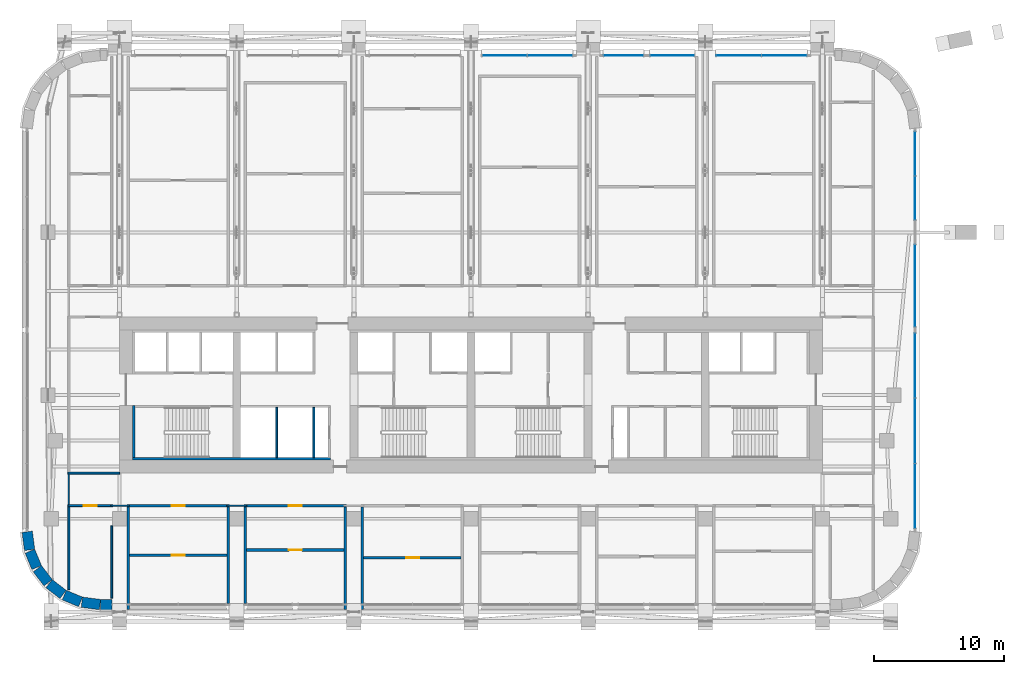
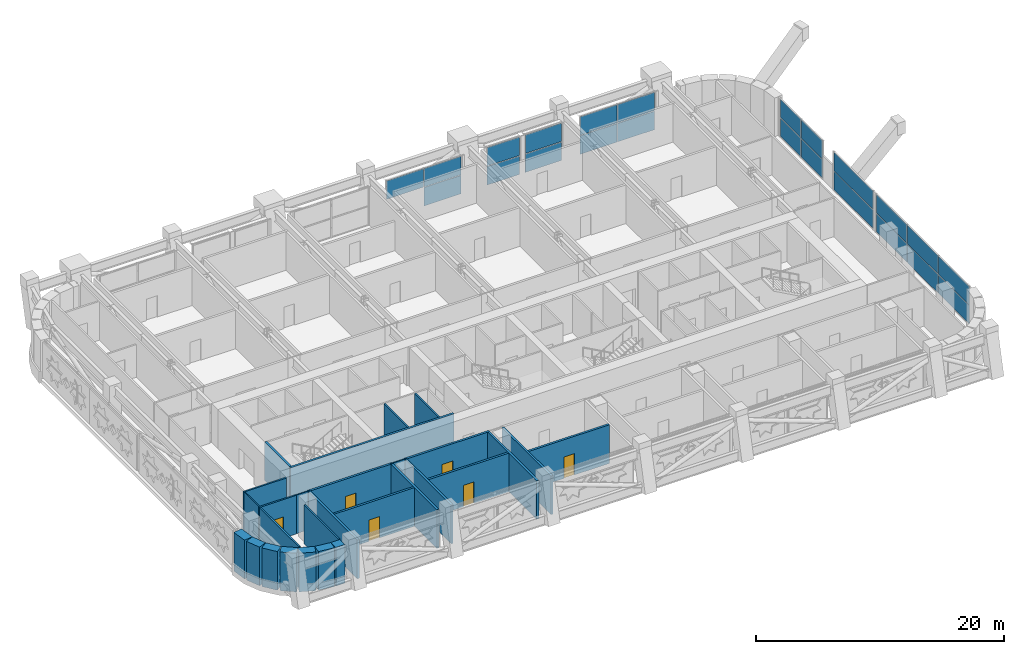
# One storey, part 12 of 27: 28 walls, 23 plates, 6 doors, 6 openings, 7 elements without a shape of their own.
"""IFC4 building model written with IfcOpenShell, lengths in metres."""

from ifc_helpers import new_model, si_unit, direction, frame, frame_2d, origin, origin_2d, place, context, subcontext, project, spatial, rectangle, extrude, material, layer, layer_set, type_object, element, fill, aggregate, save


model = new_model("IFC4")

# Units and contexts
model_context = context("Model", 3, precision=1e-05, world=origin(), true_north=direction((0.0, 1.0)))
body_context = subcontext(model_context, "Body", "Model", "MODEL_VIEW")
ifc_project = project(units=[si_unit("LENGTHUNIT", "METRE"), si_unit("AREAUNIT", "SQUARE_METRE"), si_unit("VOLUMEUNIT", "CUBIC_METRE"), si_unit("PLANEANGLEUNIT", "RADIAN"), si_unit("MASSUNIT", "GRAM", prefix="KILO")], contexts=[model_context])

# Site, building, storey
site_placement = place(None, origin())
site = spatial("IfcSite", under=ifc_project, at=site_placement, CompositionType="ELEMENT")
building_placement = place(site_placement, origin())
building = spatial("IfcBuilding", under=site, at=building_placement, Name="Zellij Exchange Tower", CompositionType="ELEMENT")
storey_placement = place(building_placement, frame((0.0, 0.0, 104.5)))
storey = spatial("IfcBuildingStorey", under=building, at=storey_placement, Name="L22", CompositionType="ELEMENT", Elevation=104.5)

# Curtain wall, plates
ifc_material_1 = material(Name="Aluminium frame, clear insulating glass", Category="aluminium")
curtain_wall_type = type_object("IfcCurtainWallType", Name="ENV-CW2 Outrigger-storey glazing", PredefinedType="NOTDEFINED", material=ifc_material_1)
curtain_wall_1_placement = place(storey_placement, origin())
curtain_wall_1 = element("IfcCurtainWall", 1, at=curtain_wall_1_placement, inside=storey, type_object=curtain_wall_type, Name="cw.L22.14b", PredefinedType="NOTDEFINED")
ifc_material_2 = material(Name="Aluminium louvre", Category="aluminium")
ifc_layer_1 = layer(ifc_material_2, 0.031982421875)
ifc_layer_set_1 = layer_set([ifc_layer_1], Name="Aluminium louvre")
plate_type_1 = type_object("IfcPlateType", Name="ENV-CW2L Louvred panel 32", PredefinedType="CURTAIN_PANEL", material=ifc_layer_set_1)
plate_1_placement = place(storey_placement, frame((24.072509765625, 18.10009765625, 1.929931640625), z_axis=(0.0, 0.0, 1.0), x_axis=(-1.0, 0.0, 0.0)))
plate_1 = element("IfcPlate", 2, at=plate_1_placement, type_object=plate_type_1, Name="CW2 panel 1.2", PredefinedType="CURTAIN_PANEL", context=body_context, shape_type="SweptSolid", body=[
    extrude(rectangle(XDim=3.43505859375, YDim=0.031982421875, at=origin_2d()), origin(), (0.0, 0.0, 1.0), 1.81005859375),
])
plate_2_placement = place(storey_placement, frame((20.577392578125, 18.10009765625, 0.06005859375), z_axis=(0.0, 0.0, 1.0), x_axis=(-1.0, 0.0, 0.0)))
plate_2 = element("IfcPlate", 3, at=plate_2_placement, type_object=plate_type_1, Name="CW2 panel 2.1", PredefinedType="CURTAIN_PANEL", context=body_context, shape_type="SweptSolid", body=[
    extrude(rectangle(XDim=3.43505859375, YDim=0.031982421875, at=origin_2d()), origin(), (0.0, 0.0, 1.0), 1.81005859375),
])

# Curtain wall, plate
curtain_wall_2_placement = place(storey_placement, origin())
curtain_wall_2 = element("IfcCurtainWall", 4, at=curtain_wall_2_placement, inside=storey, type_object=curtain_wall_type, Name="cw.L22.14c", PredefinedType="NOTDEFINED")
plate_3_placement = place(storey_placement, frame((15.449951171875, 18.10009765625, 0.06005859375), z_axis=(0.0, 0.0, 1.0), x_axis=(-1.0, 0.0, 0.0)))
plate_3 = element("IfcPlate", 5, at=plate_3_placement, type_object=plate_type_1, Name="CW2 panel 1.1", PredefinedType="CURTAIN_PANEL", context=body_context, shape_type="SweptSolid", body=[
    extrude(rectangle(XDim=3.3798828125, YDim=0.031982421875, at=origin_2d()), origin(), (0.0, 0.0, 1.0), 1.81005859375),
])

curtain_wall_3_placement = place(storey_placement, origin())
curtain_wall_3 = element("IfcCurtainWall", 6, at=curtain_wall_3_placement, inside=storey, type_object=curtain_wall_type, Name="cw.L22.14d", PredefinedType="NOTDEFINED")
plate_4_placement = place(storey_placement, frame((11.72509765625, 18.10009765625, 1.929931640625), z_axis=(0.0, 0.0, 1.0), x_axis=(-1.0, 0.0, 0.0)))
plate_4 = element("IfcPlate", 7, at=plate_4_placement, type_object=plate_type_1, Name="CW2 panel 1.2", PredefinedType="CURTAIN_PANEL", context=body_context, shape_type="SweptSolid", body=[
    extrude(rectangle(XDim=3.030029296875, YDim=0.031982421875, at=origin_2d()), origin(), (0.0, 0.0, 1.0), 1.81005859375),
])

curtain_wall_4_placement = place(storey_placement, origin())
curtain_wall_4 = element("IfcCurtainWall", 8, at=curtain_wall_4_placement, inside=storey, type_object=curtain_wall_type, Name="cw.L22.14e", PredefinedType="NOTDEFINED")
plate_5_placement = place(storey_placement, frame((6.072509765625, 18.10009765625, 1.929931640625), z_axis=(0.0, 0.0, 1.0), x_axis=(-1.0, 0.0, 0.0)))
plate_5 = element("IfcPlate", 9, at=plate_5_placement, type_object=plate_type_1, Name="CW2 panel 1.2", PredefinedType="CURTAIN_PANEL", context=body_context, shape_type="SweptSolid", body=[
    extrude(rectangle(XDim=3.43505859375, YDim=0.031982421875, at=origin_2d()), origin(), (0.0, 0.0, 1.0), 1.81005859375),
])

# Curtain wall, plates
curtain_wall_5_placement = place(storey_placement, origin())
curtain_wall_5 = element("IfcCurtainWall", 10, at=curtain_wall_5_placement, inside=storey, type_object=curtain_wall_type, Name="cw.L22.07a", PredefinedType="NOTDEFINED")
ifc_material_3 = material(Name="Insulating glass unit, clear", Category="glass")
ifc_layer_2 = layer(ifc_material_3, 0.031982421875)
ifc_layer_set_2 = layer_set([ifc_layer_2], Name="Insulating glass unit, clear")
plate_type_2 = type_object("IfcPlateType", Name="ENV-CW2P Glazed panel 32", PredefinedType="CURTAIN_PANEL", material=ifc_layer_set_2)
plate_6_placement = place(storey_placement, frame((34.10009765625, -15.74658203125, 0.06005859375), z_axis=(0.0, 0.0, 1.0), x_axis=(0.0, 1.0, 0.0)))
plate_6 = element("IfcPlate", 11, at=plate_6_placement, type_object=plate_type_2, Name="CW2 panel 1.1", PredefinedType="CURTAIN_PANEL", context=body_context, shape_type="SweptSolid", body=[
    extrude(rectangle(XDim=4.9345703125, YDim=0.031982421875, at=origin_2d()), origin(), (0.0, 0.0, 1.0), 1.81005859375),
])
plate_7_placement = place(storey_placement, frame((34.10009765625, -15.74658203125, 1.929931640625), z_axis=(0.0, 0.0, 1.0), x_axis=(0.0, 1.0, 0.0)))
plate_7 = element("IfcPlate", 12, at=plate_7_placement, type_object=plate_type_2, Name="CW2 panel 1.2", PredefinedType="CURTAIN_PANEL", context=body_context, shape_type="SweptSolid", body=[
    extrude(rectangle(XDim=4.9345703125, YDim=0.031982421875, at=origin_2d()), origin(), (0.0, 0.0, 1.0), 1.81005859375),
])
plate_8_placement = place(storey_placement, frame((34.10009765625, -10.73681640625, 0.06005859375), z_axis=(0.0, 0.0, 1.0), x_axis=(0.0, 1.0, 0.0)))
plate_8 = element("IfcPlate", 13, at=plate_8_placement, type_object=plate_type_2, Name="CW2 panel 2.1", PredefinedType="CURTAIN_PANEL", context=body_context, shape_type="SweptSolid", body=[
    extrude(rectangle(XDim=4.964599609375, YDim=0.031982421875, at=origin_2d()), origin(), (0.0, 0.0, 1.0), 1.81005859375),
])
plate_9_placement = place(storey_placement, frame((34.10009765625, -10.73681640625, 1.929931640625), z_axis=(0.0, 0.0, 1.0), x_axis=(0.0, 1.0, 0.0)))
plate_9 = element("IfcPlate", 14, at=plate_9_placement, type_object=plate_type_2, Name="CW2 panel 2.2", PredefinedType="CURTAIN_PANEL", context=body_context, shape_type="SweptSolid", body=[
    extrude(rectangle(XDim=4.964599609375, YDim=0.031982421875, at=origin_2d()), origin(), (0.0, 0.0, 1.0), 1.81005859375),
])
plate_10_placement = place(storey_placement, frame((34.10009765625, -5.727294921875, 0.06005859375), z_axis=(0.0, 0.0, 1.0), x_axis=(0.0, 1.0, 0.0)))
plate_10 = element("IfcPlate", 15, at=plate_10_placement, type_object=plate_type_2, Name="CW2 panel 3.1", PredefinedType="CURTAIN_PANEL", context=body_context, shape_type="SweptSolid", body=[
    extrude(rectangle(XDim=4.9345703125, YDim=0.031982421875, at=origin_2d()), origin(), (0.0, 0.0, 1.0), 1.81005859375),
])
plate_11_placement = place(storey_placement, frame((34.10009765625, -5.727294921875, 1.929931640625), z_axis=(0.0, 0.0, 1.0), x_axis=(0.0, 1.0, 0.0)))
plate_11 = element("IfcPlate", 16, at=plate_11_placement, type_object=plate_type_2, Name="CW2 panel 3.2", PredefinedType="CURTAIN_PANEL", context=body_context, shape_type="SweptSolid", body=[
    extrude(rectangle(XDim=4.9345703125, YDim=0.031982421875, at=origin_2d()), origin(), (0.0, 0.0, 1.0), 1.81005859375),
])
aggregate(curtain_wall_5, [plate_6, plate_7, plate_8, plate_9, plate_10, plate_11])

curtain_wall_6_placement = place(storey_placement, origin())
curtain_wall_6 = element("IfcCurtainWall", 17, at=curtain_wall_6_placement, inside=storey, type_object=curtain_wall_type, Name="cw.L22.07b.a", PredefinedType="NOTDEFINED")
plate_12_placement = place(storey_placement, frame((34.10009765625, 0.39990234375, 0.06005859375), z_axis=(0.0, 0.0, 1.0), x_axis=(0.0, 1.0, 0.0)))
plate_12 = element("IfcPlate", 18, at=plate_12_placement, type_object=plate_type_2, Name="CW2 panel 1.1", PredefinedType="CURTAIN_PANEL", context=body_context, shape_type="SweptSolid", body=[
    extrude(rectangle(XDim=6.280029296875, YDim=0.031982421875, at=origin_2d()), origin(), (0.0, 0.0, 1.0), 1.81005859375),
])
plate_13_placement = place(storey_placement, frame((34.10009765625, 0.39990234375, 1.929931640625), z_axis=(0.0, 0.0, 1.0), x_axis=(0.0, 1.0, 0.0)))
plate_13 = element("IfcPlate", 19, at=plate_13_placement, type_object=plate_type_2, Name="CW2 panel 1.2", PredefinedType="CURTAIN_PANEL", context=body_context, shape_type="SweptSolid", body=[
    extrude(rectangle(XDim=6.280029296875, YDim=0.031982421875, at=origin_2d()), origin(), (0.0, 0.0, 1.0), 1.81005859375),
])
aggregate(curtain_wall_6, [plate_12, plate_13])

curtain_wall_7_placement = place(storey_placement, origin())
curtain_wall_7 = element("IfcCurtainWall", 20, at=curtain_wall_7_placement, inside=storey, type_object=curtain_wall_type, Name="cw.L22.07b.b", PredefinedType="NOTDEFINED")
plate_14_placement = place(storey_placement, frame((34.10009765625, 7.133544921875, 0.06005859375), z_axis=(0.0, 0.0, 1.0), x_axis=(0.0, 1.0, 0.0)))
plate_14 = element("IfcPlate", 21, at=plate_14_placement, type_object=plate_type_2, Name="CW2 panel 1.1", PredefinedType="CURTAIN_PANEL", context=body_context, shape_type="SweptSolid", body=[
    extrude(rectangle(XDim=3.346923828125, YDim=0.031982421875, at=origin_2d()), origin(), (0.0, 0.0, 1.0), 1.81005859375),
])
plate_15_placement = place(storey_placement, frame((34.10009765625, 7.133544921875, 1.929931640625), z_axis=(0.0, 0.0, 1.0), x_axis=(0.0, 1.0, 0.0)))
plate_15 = element("IfcPlate", 22, at=plate_15_placement, type_object=plate_type_2, Name="CW2 panel 1.2", PredefinedType="CURTAIN_PANEL", context=body_context, shape_type="SweptSolid", body=[
    extrude(rectangle(XDim=3.346923828125, YDim=0.031982421875, at=origin_2d()), origin(), (0.0, 0.0, 1.0), 1.81005859375),
])
plate_16_placement = place(storey_placement, frame((34.10009765625, 10.540283203125, 0.06005859375), z_axis=(0.0, 0.0, 1.0), x_axis=(0.0, 1.0, 0.0)))
plate_16 = element("IfcPlate", 23, at=plate_16_placement, type_object=plate_type_2, Name="CW2 panel 2.1", PredefinedType="CURTAIN_PANEL", context=body_context, shape_type="SweptSolid", body=[
    extrude(rectangle(XDim=3.346923828125, YDim=0.031982421875, at=origin_2d()), origin(), (0.0, 0.0, 1.0), 1.81005859375),
])
plate_17_placement = place(storey_placement, frame((34.10009765625, 10.540283203125, 1.929931640625), z_axis=(0.0, 0.0, 1.0), x_axis=(0.0, 1.0, 0.0)))
plate_17 = element("IfcPlate", 24, at=plate_17_placement, type_object=plate_type_2, Name="CW2 panel 2.2", PredefinedType="CURTAIN_PANEL", context=body_context, shape_type="SweptSolid", body=[
    extrude(rectangle(XDim=3.346923828125, YDim=0.031982421875, at=origin_2d()), origin(), (0.0, 0.0, 1.0), 1.81005859375),
])
aggregate(curtain_wall_7, [plate_14, plate_15, plate_16, plate_17])

# Plate
plate_18_placement = place(storey_placement, frame((24.072509765625, 18.10009765625, 0.06005859375), z_axis=(0.0, 0.0, 1.0), x_axis=(-1.0, 0.0, 0.0)))
plate_18 = element("IfcPlate", 25, at=plate_18_placement, type_object=plate_type_2, Name="CW2 panel 1.1", PredefinedType="CURTAIN_PANEL", context=body_context, shape_type="SweptSolid", body=[
    extrude(rectangle(XDim=3.43505859375, YDim=0.031982421875, at=origin_2d()), origin(), (0.0, 0.0, 1.0), 1.81005859375),
])

plate_19_placement = place(storey_placement, frame((20.577392578125, 18.10009765625, 1.929931640625), z_axis=(0.0, 0.0, 1.0), x_axis=(-1.0, 0.0, 0.0)))
plate_19 = element("IfcPlate", 26, at=plate_19_placement, type_object=plate_type_2, Name="CW2 panel 2.2", PredefinedType="CURTAIN_PANEL", context=body_context, shape_type="SweptSolid", body=[
    extrude(rectangle(XDim=3.43505859375, YDim=0.031982421875, at=origin_2d()), origin(), (0.0, 0.0, 1.0), 1.81005859375),
])

aggregate(curtain_wall_1, [plate_18, plate_1, plate_2, plate_19])

plate_20_placement = place(storey_placement, frame((15.449951171875, 18.10009765625, 1.929931640625), z_axis=(0.0, 0.0, 1.0), x_axis=(-1.0, 0.0, 0.0)))
plate_20 = element("IfcPlate", 27, at=plate_20_placement, type_object=plate_type_2, Name="CW2 panel 1.2", PredefinedType="CURTAIN_PANEL", context=body_context, shape_type="SweptSolid", body=[
    extrude(rectangle(XDim=3.3798828125, YDim=0.031982421875, at=origin_2d()), origin(), (0.0, 0.0, 1.0), 1.81005859375),
])

aggregate(curtain_wall_2, [plate_3, plate_20])

plate_21_placement = place(storey_placement, frame((11.72509765625, 18.10009765625, 0.06005859375), z_axis=(0.0, 0.0, 1.0), x_axis=(-1.0, 0.0, 0.0)))
plate_21 = element("IfcPlate", 28, at=plate_21_placement, type_object=plate_type_2, Name="CW2 panel 1.1", PredefinedType="CURTAIN_PANEL", context=body_context, shape_type="SweptSolid", body=[
    extrude(rectangle(XDim=3.030029296875, YDim=0.031982421875, at=origin_2d()), origin(), (0.0, 0.0, 1.0), 1.81005859375),
])

aggregate(curtain_wall_3, [plate_21, plate_4])

plate_22_placement = place(storey_placement, frame((6.072509765625, 18.10009765625, 0.06005859375), z_axis=(0.0, 0.0, 1.0), x_axis=(-1.0, 0.0, 0.0)))
plate_22 = element("IfcPlate", 29, at=plate_22_placement, type_object=plate_type_2, Name="CW2 panel 1.1", PredefinedType="CURTAIN_PANEL", context=body_context, shape_type="SweptSolid", body=[
    extrude(rectangle(XDim=3.43505859375, YDim=0.031982421875, at=origin_2d()), origin(), (0.0, 0.0, 1.0), 1.81005859375),
])

plate_23_placement = place(storey_placement, frame((2.577392578125, 18.10009765625, 1.929931640625), z_axis=(0.0, 0.0, 1.0), x_axis=(-1.0, 0.0, 0.0)))
plate_23 = element("IfcPlate", 30, at=plate_23_placement, type_object=plate_type_2, Name="CW2 panel 2.2", PredefinedType="CURTAIN_PANEL", context=body_context, shape_type="SweptSolid", body=[
    extrude(rectangle(XDim=3.43505859375, YDim=0.031982421875, at=origin_2d()), origin(), (0.0, 0.0, 1.0), 1.81005859375),
])

aggregate(curtain_wall_4, [plate_22, plate_5, plate_23])

# Walls
ifc_material_4 = material(Name="Concrete C30/37", Category="concrete")
ifc_layer_3 = layer(ifc_material_4, 0.199951171875)
ifc_layer_set_3 = layer_set([ifc_layer_3], Name="Concrete C30/37")
wall_type_1 = type_object("IfcWallType", Name="CORE-LW 200 C30/37", PredefinedType="SHEAR", material=ifc_layer_set_3)
wall_1_placement = place(storey_placement, frame((-26.0, -12.89990234375, 0.0), z_axis=(0.0, 0.0, 1.0), x_axis=(1.0, 0.0, 0.0)))
element("IfcWall", 31, at=wall_1_placement, inside=storey, type_object=wall_type_1, Name="Core wall lining rear.0 L22", PredefinedType="SHEAR", context=body_context, shape_type="SweptSolid", body=[
    extrude(rectangle(XDim=15.199951171875, YDim=0.199951171875, at=frame_2d((7.60009765625, 0.0))), origin(), (0.0, 0.0, 1.0), 3.800048828125),
])
wall_2_placement = place(storey_placement, frame((-25.89990234375, -12.800048828125, 0.0), z_axis=(0.0, 0.0, 1.0), x_axis=(0.0, 1.0, 0.0)))
element("IfcWall", 32, at=wall_2_placement, inside=storey, type_object=wall_type_1, Name="Core wall lining end w.0 L22", PredefinedType="SHEAR", context=body_context, shape_type="SweptSolid", body=[
    extrude(rectangle(XDim=4.0, YDim=0.199951171875, at=frame_2d((2.0, 0.0))), origin(), (0.0, 0.0, 1.0), 3.800048828125),
])
ifc_material_5 = material(Name="Gypsum shaft wall system")
ifc_layer_4 = layer(ifc_material_5, 0.14990234375)
ifc_layer_set_4 = layer_set([ifc_layer_4], Name="Gypsum shaft wall system")
wall_type_2 = type_object("IfcWallType", Name="CORE-PW 150 Lift shaft wall", PredefinedType="PARTITIONING", material=ifc_layer_set_4)
for number, where, z_axis, x_axis, name in (
    (33, (-12.074951171875, -12.800048828125, 0.0), (0.0, 0.0, 1.0), (0.0, 1.0, 0.0), "Lift shaft wall L22"),
    (34, (-14.925048828125, -12.800048828125, 0.0), (0.0, 0.0, 1.0), (0.0, 1.0, 0.0), "Lift shaft wall L22"),
):
    element("IfcWall", number, at=place(storey_placement, frame(where, z_axis=z_axis, x_axis=x_axis)), inside=storey, type_object=wall_type_2, Name=name, PredefinedType="PARTITIONING", context=body_context, shape_type="SweptSolid", body=[
        extrude(rectangle(XDim=3.85009765625, YDim=0.14990234375, at=frame_2d((1.925048828125, 0.0))), origin(), (0.0, 0.0, 1.0), 3.800048828125),
    ])
ifc_material_6 = material(Name="Precast concrete C40/50", Category="concrete")
ifc_layer_5 = layer(ifc_material_6, 0.800048828125)
ifc_layer_set_5 = layer_set([ifc_layer_5], Name="Precast concrete C40/50")
wall_type_3 = type_object("IfcWallType", Name="ENV-EW1 Precast stone-piered wall 800", PredefinedType="SOLIDWALL", material=ifc_layer_set_5)
wall_3_placement = place(storey_placement, frame((-28.447509765625, -24.10009765625, 0.0), z_axis=(0.0, 0.0, 1.0), x_axis=(1.0, 0.0, 0.0)))
element("IfcWall", 35, at=wall_3_placement, inside=storey, type_object=wall_type_3, Name="fac.L22.00a", PredefinedType="SOLIDWALL", context=body_context, shape_type="SweptSolid", body=[
    extrude(rectangle(XDim=0.847412109375, YDim=0.800048828125, at=frame_2d((0.423828125, 0.0))), origin(), (0.0, 0.0, 1.0), 3.800048828125),
])
wall_4_placement = place(storey_placement, frame((-34.0966796875, -18.499755859375, 0.0), z_axis=(0.0, 0.0, 1.0), x_axis=(0.130517283865, -0.99144603414, 0.0)))
element("IfcWall", 36, at=wall_4_placement, inside=storey, type_object=wall_type_3, Name="fac.L22.22", PredefinedType="SOLIDWALL", context=body_context, shape_type="SweptSolid", body=[
    extrude(rectangle(XDim=1.408447265625, YDim=0.800048828125, at=frame_2d((0.7041015625, 0.0))), origin(), (0.0, 0.0, 1.0), 3.800048828125),
])
wall_5_placement = place(storey_placement, frame((-33.8857421875, -19.997314453125, 0.0), z_axis=(0.0, 0.0, 1.0), x_axis=(0.38276009378, -0.923847774587, 0.0)))
element("IfcWall", 37, at=wall_5_placement, inside=storey, type_object=wall_type_3, Name="fac.L22.23", PredefinedType="SOLIDWALL", context=body_context, shape_type="SweptSolid", body=[
    extrude(rectangle(XDim=1.35546875, YDim=0.800048828125, at=frame_2d((0.677734375, 0.0))), origin(), (0.0, 0.0, 1.0), 3.800048828125),
])
for number, where, z_axis, x_axis, name in (
    (38, (-33.314697265625, -21.340087890625, 0.0), (0.0, 0.0, 1.0), (0.608866226366, -0.793272915452, 0.0), "fac.L22.24"),
    (39, (-32.41552734375, -22.4892578125, 0.0), (0.0, 0.0, 1.0), (0.793272915452, -0.608866226366, 0.0), "fac.L22.25"),
):
    element("IfcWall", number, at=place(storey_placement, frame(where, z_axis=z_axis, x_axis=x_axis)), inside=storey, type_object=wall_type_3, Name=name, PredefinedType="SOLIDWALL", context=body_context, shape_type="SweptSolid", body=[
        extrude(rectangle(XDim=1.355712890625, YDim=0.800048828125, at=frame_2d((0.677734375, 0.0))), origin(), (0.0, 0.0, 1.0), 3.800048828125),
    ])
wall_6_placement = place(storey_placement, frame((-31.24951171875, -23.366943359375, 0.0), z_axis=(0.0, 0.0, 1.0), x_axis=(0.923847774587, -0.38276009378, 0.0)))
element("IfcWall", 40, at=wall_6_placement, inside=storey, type_object=wall_type_3, Name="fac.L22.26", PredefinedType="SOLIDWALL", context=body_context, shape_type="SweptSolid", body=[
    extrude(rectangle(XDim=1.35546875, YDim=0.800048828125, at=frame_2d((0.677734375, 0.0))), origin(), (0.0, 0.0, 1.0), 3.800048828125),
])
wall_7_placement = place(storey_placement, frame((-29.896240234375, -23.912841796875, 0.0), z_axis=(0.0, 0.0, 1.0), x_axis=(0.99144603414, -0.130517283865, 0.0)))
element("IfcWall", 41, at=wall_7_placement, inside=storey, type_object=wall_type_3, Name="fac.L22.27", PredefinedType="SOLIDWALL", context=body_context, shape_type="SweptSolid", body=[
    extrude(rectangle(XDim=1.408447265625, YDim=0.800048828125, at=frame_2d((0.7041015625, 0.0))), origin(), (0.0, 0.0, 1.0), 3.800048828125),
])
ifc_material_7 = material(Name="Blockwork fire wall", Category="masonry")
ifc_layer_6 = layer(ifc_material_7, 0.199951171875)
ifc_layer_set_6 = layer_set([ifc_layer_6], Name="Blockwork fire wall")
wall_type_4 = type_object("IfcWallType", Name="FIT-BLOCKWORK-200-EI120", PredefinedType="PARTITIONING", material=ifc_layer_set_6)
wall_8_placement = place(storey_placement, frame((-26.340087890625, -24.482177734375, 0.0), z_axis=(0.0, 0.0, 1.0), x_axis=(0.0, 1.0, 0.0)))
element("IfcWall", 42, at=wall_8_placement, inside=storey, type_object=wall_type_4, Name="FIT-BLOCKWORK-200-EI120 001", PredefinedType="PARTITIONING", context=body_context, shape_type="SweptSolid", body=[
    extrude(rectangle(XDim=7.882080078125, YDim=0.199951171875, at=frame_2d((3.94091796875, 0.0))), origin(), (0.0, 0.0, 1.0), 3.800048828125),
])
for number, where, z_axis, x_axis, name in (
    (43, (-18.659912109375, -24.0, 0.0), (0.0, 0.0, 1.0), (0.0, 1.0, 0.0), "FIT-BLOCKWORK-200-EI120 002"),
    (44, (-17.340087890625, -24.0, 0.0), (0.0, 0.0, 1.0), (0.0, 1.0, 0.0), "FIT-BLOCKWORK-200-EI120 003"),
):
    element("IfcWall", number, at=place(storey_placement, frame(where, z_axis=z_axis, x_axis=x_axis)), inside=storey, type_object=wall_type_4, Name=name, PredefinedType="PARTITIONING", context=body_context, shape_type="SweptSolid", body=[
        extrude(rectangle(XDim=7.39990234375, YDim=0.199951171875, at=frame_2d((3.699951171875, 0.0))), origin(), (0.0, 0.0, 1.0), 3.800048828125),
    ])
for number, where, z_axis, x_axis, name in (
    (45, (-9.659912109375, -24.482177734375, 0.0), (0.0, 0.0, 1.0), (0.0, 1.0, 0.0), "FIT-BLOCKWORK-200-EI120 004"),
    (46, (-8.340087890625, -24.482177734375, 0.0), (0.0, 0.0, 1.0), (0.0, 1.0, 0.0), "FIT-BLOCKWORK-200-EI120 005"),
):
    element("IfcWall", number, at=place(storey_placement, frame(where, z_axis=z_axis, x_axis=x_axis)), inside=storey, type_object=wall_type_4, Name=name, PredefinedType="PARTITIONING", context=body_context, shape_type="SweptSolid", body=[
        extrude(rectangle(XDim=7.882080078125, YDim=0.199951171875, at=frame_2d((3.94091796875, 0.0))), origin(), (0.0, 0.0, 1.0), 3.800048828125),
    ])

# Wall, opening, door
wall_9_placement = place(storey_placement, frame((-8.239990234375, -20.5, 0.0), z_axis=(0.0, 0.0, 1.0), x_axis=(1.0, 0.0, 0.0)))
wall_9 = element("IfcWall", 47, at=wall_9_placement, inside=storey, type_object=wall_type_4, Name="FIT-BLOCKWORK-200-EI120 017", PredefinedType="PARTITIONING", context=body_context, shape_type="SweptSolid", body=[
    extrude(rectangle(XDim=7.47998046875, YDim=0.199951171875, at=frame_2d((3.739990234375, 0.0))), origin(), (0.0, 0.0, 1.0), 3.800048828125),
])
opening_1_placement = place(wall_9_placement, frame((3.25, 0.0, 0.0)))
opening_1 = element("IfcOpeningElement", 48, at=opening_1_placement, cuts=wall_9, Name="Opening PL22.01", PredefinedType="OPENING", context=body_context, shape_type="SweptSolid", body=[
    extrude(rectangle(XDim=1.0, YDim=2.10009765625, at=frame_2d((0.5, 1.050048828125))), frame((0.0, 0.11181640625, 0.0), z_axis=(0.0, -1.0, 0.0), x_axis=(1.0, 0.0, 0.0)), (0.0, 0.0, 1.0), 0.223876953125),
])
ifc_material_8 = material(Name="Steel fire door set", Category="steel")
door_type = type_object("IfcDoorType", Name="FIT-D4-FIRE-1000X2100", OperationType="SINGLE_SWING_LEFT", PredefinedType="DOOR", material=ifc_material_8)
door_1_placement = place(opening_1_placement, origin())
door_1 = element("IfcDoor", 49, at=door_1_placement, inside=storey, type_object=door_type, Name="Door PL22.01", OperationType="SINGLE_SWING_LEFT", OverallHeight=2.10009765625, OverallWidth=1.0, PredefinedType="DOOR", context=body_context, shape_type="SweptSolid", body=[
    extrude(rectangle(XDim=1.0, YDim=2.10009765625, at=frame_2d((0.5, 1.050048828125))), frame((0.0, 0.02490234375, 0.0), z_axis=(0.0, -1.0, 0.0), x_axis=(1.0, 0.0, 0.0)), (0.0, 0.0, 1.0), 0.050048828125),
])
fill(opening_1, door_1)

wall_10_placement = place(storey_placement, frame((-26.239990234375, -20.300048828125, 0.0), z_axis=(0.0, 0.0, 1.0), x_axis=(1.0, 0.0, 0.0)))
wall_10 = element("IfcWall", 50, at=wall_10_placement, inside=storey, type_object=wall_type_4, Name="FIT-BLOCKWORK-200-EI120 019", PredefinedType="PARTITIONING", context=body_context, shape_type="SweptSolid", body=[
    extrude(rectangle(XDim=7.47998046875, YDim=0.199951171875, at=frame_2d((3.739990234375, 0.0))), origin(), (0.0, 0.0, 1.0), 3.800048828125),
])
opening_2_placement = place(wall_10_placement, frame((3.25, 0.0, 0.0)))
opening_2 = element("IfcOpeningElement", 51, at=opening_2_placement, cuts=wall_10, Name="Opening PL22.03", PredefinedType="OPENING", context=body_context, shape_type="SweptSolid", body=[
    extrude(rectangle(XDim=1.0, YDim=2.10009765625, at=frame_2d((0.5, 1.050048828125))), frame((0.0, 0.11181640625, 0.0), z_axis=(0.0, -1.0, 0.0), x_axis=(1.0, 0.0, 0.0)), (0.0, 0.0, 1.0), 0.223876953125),
])
door_2_placement = place(opening_2_placement, origin())
door_2 = element("IfcDoor", 52, at=door_2_placement, inside=storey, type_object=door_type, Name="Door PL22.03", OperationType="SINGLE_SWING_LEFT", OverallHeight=2.10009765625, OverallWidth=1.0, PredefinedType="DOOR", context=body_context, shape_type="SweptSolid", body=[
    extrude(rectangle(XDim=1.0, YDim=2.10009765625, at=frame_2d((0.5, 1.050048828125))), frame((0.0, 0.02490234375, 0.0), z_axis=(0.0, -1.0, 0.0), x_axis=(1.0, 0.0, 0.0)), (0.0, 0.0, 1.0), 0.050048828125),
])
fill(opening_2, door_2)

wall_11_placement = place(storey_placement, frame((-17.239990234375, -19.89990234375, 0.0), z_axis=(0.0, 0.0, 1.0), x_axis=(1.0, 0.0, 0.0)))
wall_11 = element("IfcWall", 53, at=wall_11_placement, inside=storey, type_object=wall_type_4, Name="FIT-BLOCKWORK-200-EI120 022", PredefinedType="PARTITIONING", context=body_context, shape_type="SweptSolid", body=[
    extrude(rectangle(XDim=7.47998046875, YDim=0.199951171875, at=frame_2d((3.739990234375, 0.0))), origin(), (0.0, 0.0, 1.0), 3.800048828125),
])
opening_3_placement = place(wall_11_placement, frame((3.25, 0.0, 0.0)))
opening_3 = element("IfcOpeningElement", 54, at=opening_3_placement, cuts=wall_11, Name="Opening PL22.06", PredefinedType="OPENING", context=body_context, shape_type="SweptSolid", body=[
    extrude(rectangle(XDim=1.0, YDim=2.10009765625, at=frame_2d((0.5, 1.050048828125))), frame((0.0, 0.11181640625, 0.0), z_axis=(0.0, -1.0, 0.0), x_axis=(1.0, 0.0, 0.0)), (0.0, 0.0, 1.0), 0.223876953125),
])
door_3_placement = place(opening_3_placement, origin())
door_3 = element("IfcDoor", 55, at=door_3_placement, inside=storey, type_object=door_type, Name="Door PL22.06", OperationType="SINGLE_SWING_LEFT", OverallHeight=2.10009765625, OverallWidth=1.0, PredefinedType="DOOR", context=body_context, shape_type="SweptSolid", body=[
    extrude(rectangle(XDim=1.0, YDim=2.10009765625, at=frame_2d((0.5, 1.050048828125))), frame((0.0, 0.02490234375, 0.0), z_axis=(0.0, -1.0, 0.0), x_axis=(1.0, 0.0, 0.0)), (0.0, 0.0, 1.0), 0.050048828125),
])
fill(opening_3, door_3)

wall_12_placement = place(storey_placement, frame((-26.43994140625, -16.5, 0.0), z_axis=(0.0, 0.0, 1.0), x_axis=(1.0, 0.0, 0.0)))
wall_12 = element("IfcWall", 56, at=wall_12_placement, inside=storey, type_object=wall_type_4, Name="FIT-BLOCKWORK-200-EI120 026", PredefinedType="PARTITIONING", context=body_context, shape_type="SweptSolid", body=[
    extrude(rectangle(XDim=7.8798828125, YDim=0.199951171875, at=frame_2d((3.93994140625, 0.0))), origin(), (0.0, 0.0, 1.0), 3.800048828125),
])
opening_4_placement = place(wall_12_placement, frame((3.449951171875, 0.0, 0.0)))
opening_4 = element("IfcOpeningElement", 57, at=opening_4_placement, cuts=wall_12, Name="Opening PL22.08", PredefinedType="OPENING", context=body_context, shape_type="SweptSolid", body=[
    extrude(rectangle(XDim=1.0, YDim=2.10009765625, at=frame_2d((0.5, 1.050048828125))), frame((0.0, 0.11181640625, 0.0), z_axis=(0.0, -1.0, 0.0), x_axis=(1.0, 0.0, 0.0)), (0.0, 0.0, 1.0), 0.223876953125),
])
door_4_placement = place(opening_4_placement, origin())
door_4 = element("IfcDoor", 58, at=door_4_placement, inside=storey, type_object=door_type, Name="Door PL22.08", OperationType="SINGLE_SWING_LEFT", OverallHeight=2.10009765625, OverallWidth=1.0, PredefinedType="DOOR", context=body_context, shape_type="SweptSolid", body=[
    extrude(rectangle(XDim=1.0, YDim=2.10009765625, at=frame_2d((0.5, 1.050048828125))), frame((0.0, 0.02490234375, 0.0), z_axis=(0.0, -1.0, 0.0), x_axis=(1.0, 0.0, 0.0)), (0.0, 0.0, 1.0), 0.050048828125),
])
fill(opening_4, door_4)

wall_13_placement = place(storey_placement, frame((-17.43994140625, -16.5, 0.0), z_axis=(0.0, 0.0, 1.0), x_axis=(1.0, 0.0, 0.0)))
wall_13 = element("IfcWall", 59, at=wall_13_placement, inside=storey, type_object=wall_type_4, Name="FIT-BLOCKWORK-200-EI120 028", PredefinedType="PARTITIONING", context=body_context, shape_type="SweptSolid", body=[
    extrude(rectangle(XDim=7.8798828125, YDim=0.199951171875, at=frame_2d((3.93994140625, 0.0))), origin(), (0.0, 0.0, 1.0), 3.800048828125),
])
opening_5_placement = place(wall_13_placement, frame((3.449951171875, 0.0, 0.0)))
opening_5 = element("IfcOpeningElement", 60, at=opening_5_placement, cuts=wall_13, Name="Opening PL22.09", PredefinedType="OPENING", context=body_context, shape_type="SweptSolid", body=[
    extrude(rectangle(XDim=1.0, YDim=2.10009765625, at=frame_2d((0.5, 1.050048828125))), frame((0.0, 0.11181640625, 0.0), z_axis=(0.0, -1.0, 0.0), x_axis=(1.0, 0.0, 0.0)), (0.0, 0.0, 1.0), 0.223876953125),
])
door_5_placement = place(opening_5_placement, origin())
door_5 = element("IfcDoor", 61, at=door_5_placement, inside=storey, type_object=door_type, Name="Door PL22.09", OperationType="SINGLE_SWING_LEFT", OverallHeight=2.10009765625, OverallWidth=1.0, PredefinedType="DOOR", context=body_context, shape_type="SweptSolid", body=[
    extrude(rectangle(XDim=1.0, YDim=2.10009765625, at=frame_2d((0.5, 1.050048828125))), frame((0.0, 0.02490234375, 0.0), z_axis=(0.0, -1.0, 0.0), x_axis=(1.0, 0.0, 0.0)), (0.0, 0.0, 1.0), 0.050048828125),
])
fill(opening_5, door_5)

# Walls
ifc_material_9 = material(Name="Gypsum board partition on steel studs", Category="steel")
ifc_layer_7 = layer(ifc_material_9, 0.10009765625)
ifc_layer_set_7 = layer_set([ifc_layer_7], Name="Gypsum board partition on steel studs")
wall_type_5 = type_object("IfcWallType", Name="FIT-PARTITION-100", PredefinedType="PARTITIONING", material=ifc_layer_set_7)
wall_14_placement = place(storey_placement, frame((-30.89990234375, -16.425048828125, 0.0), z_axis=(0.0, 0.0, 1.0), x_axis=(0.0, 1.0, 0.0)))
element("IfcWall", 62, at=wall_14_placement, inside=storey, type_object=wall_type_5, Name="FIT-PARTITION-100 024", PredefinedType="PARTITIONING", context=body_context, shape_type="SweptSolid", body=[
    extrude(rectangle(XDim=2.35009765625, YDim=0.10009765625, at=frame_2d((1.175048828125, 0.0))), origin(), (0.0, 0.0, 1.0), 3.800048828125),
])
wall_15_placement = place(storey_placement, frame((-27.675048828125, -16.5, 0.0), z_axis=(0.0, 0.0, 1.0), x_axis=(1.0, 0.0, 0.0)))
element("IfcWall", 63, at=wall_15_placement, inside=storey, type_object=wall_type_5, Name="FIT-PARTITION-100 025", PredefinedType="PARTITIONING", context=body_context, shape_type="SweptSolid", body=[
    extrude(rectangle(XDim=1.43505859375, YDim=0.10009765625, at=frame_2d((0.717529296875, 0.0))), origin(), (0.0, 0.0, 1.0), 3.800048828125),
])
wall_16_placement = place(storey_placement, frame((-18.760009765625, -16.5, 0.0), z_axis=(0.0, 0.0, 1.0), x_axis=(1.0, 0.0, 0.0)))
element("IfcWall", 64, at=wall_16_placement, inside=storey, type_object=wall_type_5, Name="FIT-PARTITION-100 027", PredefinedType="PARTITIONING", context=body_context, shape_type="SweptSolid", body=[
    extrude(rectangle(XDim=1.52001953125, YDim=0.10009765625, at=frame_2d((0.760009765625, 0.0))), origin(), (0.0, 0.0, 1.0), 3.800048828125),
])
ifc_material_10 = material(Name="Gypsum board shaft-wall partition", Category="gypsum")
ifc_layer_8 = layer(ifc_material_10, 0.14990234375)
ifc_layer_set_8 = layer_set([ifc_layer_8], Name="Gypsum board shaft-wall partition")
wall_type_6 = type_object("IfcWallType", Name="FIT-PARTITION-150-EI60", PredefinedType="PARTITIONING", material=ifc_layer_set_8)
wall_17_placement = place(storey_placement, frame((-27.60009765625, -23.60009765625, 0.0), z_axis=(0.0, 0.0, 1.0), x_axis=(0.0, 1.0, 0.0)))
element("IfcWall", 65, at=wall_17_placement, inside=storey, type_object=wall_type_6, Name="FIT-PARTITION-150-EI60 013", PredefinedType="PARTITIONING", context=body_context, shape_type="SweptSolid", body=[
    extrude(rectangle(XDim=5.550048828125, YDim=0.14990234375, at=frame_2d((2.77490234375, 0.0))), origin(), (0.0, 0.0, 1.0), 3.800048828125),
])
wall_18_placement = place(storey_placement, frame((-30.89990234375, -22.93994140625, 0.0), z_axis=(0.0, 0.0, 1.0), x_axis=(0.0, 1.0, 0.0)))
element("IfcWall", 66, at=wall_18_placement, inside=storey, type_object=wall_type_6, Name="FIT-PARTITION-150-EI60 015", PredefinedType="PARTITIONING", context=body_context, shape_type="SweptSolid", body=[
    extrude(rectangle(XDim=6.364990234375, YDim=0.14990234375, at=frame_2d((3.1826171875, 0.0))), origin(), (0.0, 0.0, 1.0), 3.800048828125),
])

# Wall, opening, door
wall_19_placement = place(storey_placement, frame((-30.97509765625, -16.5, 0.0), z_axis=(0.0, 0.0, 1.0), x_axis=(1.0, 0.0, 0.0)))
wall_19 = element("IfcWall", 67, at=wall_19_placement, inside=storey, type_object=wall_type_6, Name="FIT-PARTITION-150-EI60 023", PredefinedType="PARTITIONING", context=body_context, shape_type="SweptSolid", body=[
    extrude(rectangle(XDim=3.4501953125, YDim=0.14990234375, at=frame_2d((1.72509765625, 0.0))), origin(), (0.0, 0.0, 1.0), 3.800048828125),
])
opening_6_placement = place(wall_19_placement, frame((1.22509765625, 0.0, 0.0)))
opening_6 = element("IfcOpeningElement", 68, at=opening_6_placement, cuts=wall_19, Name="Opening PL22.07", PredefinedType="OPENING", context=body_context, shape_type="SweptSolid", body=[
    extrude(rectangle(XDim=1.0, YDim=2.10009765625, at=frame_2d((0.5, 1.050048828125))), frame((0.0, 0.0869140625, 0.0), z_axis=(0.0, -1.0, 0.0), x_axis=(1.0, 0.0, 0.0)), (0.0, 0.0, 1.0), 0.173828125),
])
door_6_placement = place(opening_6_placement, origin())
door_6 = element("IfcDoor", 69, at=door_6_placement, inside=storey, type_object=door_type, Name="Door PL22.07", OperationType="SINGLE_SWING_LEFT", OverallHeight=2.10009765625, OverallWidth=1.0, PredefinedType="DOOR", context=body_context, shape_type="SweptSolid", body=[
    extrude(rectangle(XDim=1.0, YDim=2.10009765625, at=frame_2d((0.5, 1.050048828125))), frame((0.0, 0.02490234375, 0.0), z_axis=(0.0, -1.0, 0.0), x_axis=(1.0, 0.0, 0.0)), (0.0, 0.0, 1.0), 0.050048828125),
])
fill(opening_6, door_6)

# Wall
wall_20_placement = place(storey_placement, frame((-30.97509765625, -14.0, 0.0), z_axis=(0.0, 0.0, 1.0), x_axis=(1.0, 0.0, 0.0)))
element("IfcWall", 70, at=wall_20_placement, inside=storey, type_object=wall_type_6, Name="FIT-PARTITION-150-EI60 040", PredefinedType="PARTITIONING", context=body_context, shape_type="SweptSolid", body=[
    extrude(rectangle(XDim=3.97509765625, YDim=0.14990234375, at=frame_2d((1.987548828125, 0.0))), origin(), (0.0, 0.0, 1.0), 3.800048828125),
])

save(model, "model.ifc")
